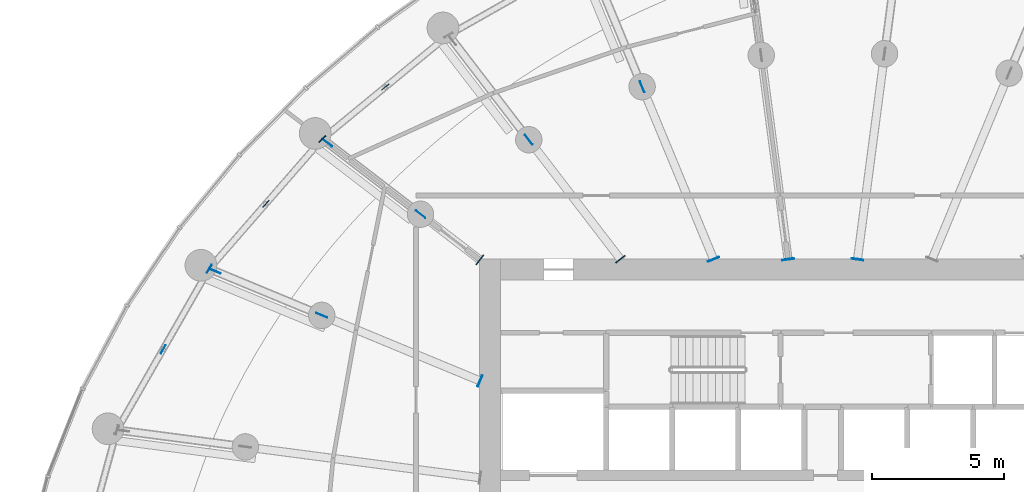
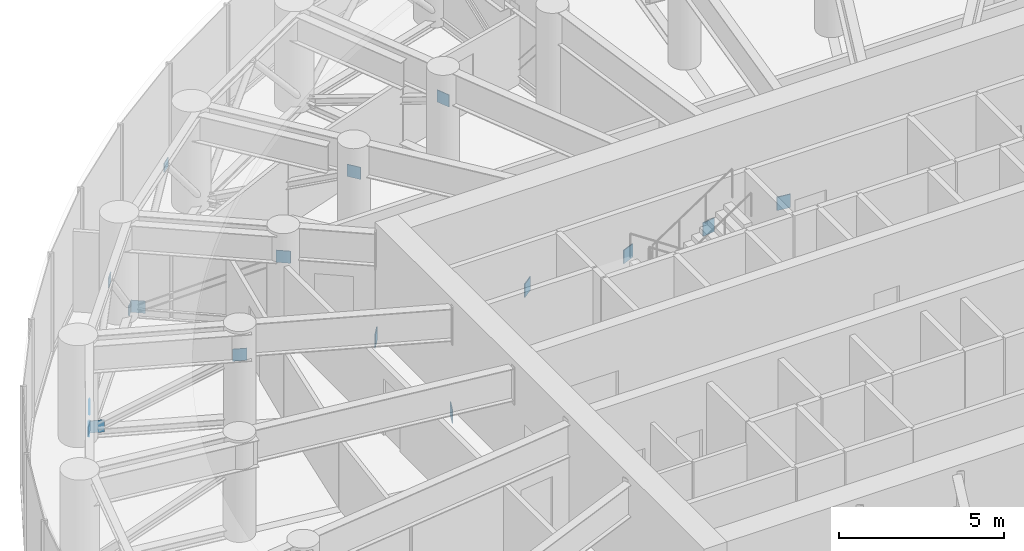
# One storey, part 27 of 33: 19 discrete accessories.
"""IFC4 building model written with IfcOpenShell, lengths in metres."""

from ifc_helpers import new_model, si_unit, direction, frame, origin, origin_2d, place, context, subcontext, project, spatial, rectangle, extrude, source, transform, mapped, material, layer, layer_set, type_object, element, save


model = new_model("IFC4")

# Units and contexts
model_context = context("Model", 3, precision=1e-05, world=origin(), true_north=direction((0.0, 1.0)))
body_context = subcontext(model_context, "Body", "Model", "MODEL_VIEW")
ifc_project = project(units=[si_unit("LENGTHUNIT", "METRE"), si_unit("AREAUNIT", "SQUARE_METRE"), si_unit("VOLUMEUNIT", "CUBIC_METRE"), si_unit("PLANEANGLEUNIT", "RADIAN"), si_unit("MASSUNIT", "GRAM", prefix="KILO")], contexts=[model_context])

# Site, building, storey
site_placement = place(None, origin())
site = spatial("IfcSite", under=ifc_project, at=site_placement, CompositionType="ELEMENT")
building_placement = place(site_placement, origin())
building = spatial("IfcBuilding", under=site, at=building_placement, Name="Spindrift Exchange Tower", CompositionType="ELEMENT")
storey_placement = place(building_placement, frame((0.0, 0.0, 129.0)))
storey = spatial("IfcBuildingStorey", under=building, at=storey_placement, Name="L30", CompositionType="ELEMENT", Elevation=129.0)

# Discrete accessories
ifc_material = material(Name="Steel Grade 350", Category="steel")
ifc_layer_1 = layer(ifc_material, 0.031982421875)
ifc_layer_set_1 = layer_set([ifc_layer_1], Name="Cast-in plate 450x500x32 Steel Grade 350")
discrete_accessory_type_1 = type_object("IfcDiscreteAccessoryType", Name="Cast-in plate 450x500x32 Steel Grade 350", PredefinedType="USERDEFINED", material=ifc_layer_set_1)
shared_shape_1 = source(origin(), body_context, "Body", "SweptSolid", [
    extrude(rectangle(XDim=0.031982421875, YDim=0.449951171875, at=origin_2d()), origin(), (0.0, 0.0, 1.0), 0.5),
])
for number, where, z_axis, x_axis, name in (
    (1, (53.31396484375, 57.980224609375, -0.410400390625), (0.0, 0.0, 1.0), (0.13052619222, 0.991444861374, 0.0), "L30 cast-in plate CP2 06"),
    (2, (50.68603515625, 57.980224609375, -0.410400390625), (0.0, 0.0, 1.0), (-0.13052619222, 0.991444861374, 0.0), "L30 cast-in plate CP2 07"),
    (3, (47.865478515625, 57.9814453125, -0.410400390625), (0.0, 0.0, 1.0), (-0.382683432365, 0.923879532511, 0.0), "L30 cast-in plate CP2 08"),
    (4, (44.3388671875, 57.984130859375, -0.410400390625), (0.0, 0.0, 1.0), (-0.608761429009, 0.793353340291, 0.0), "L30 cast-in plate CP2 09"),
    (5, (39.015869140625, 57.963134765625, -0.410400390625), (0.0, 0.0, 1.0), (-0.793353340291, 0.608761429009, 0.0), "L30 cast-in plate CP2 10"),
    (6, (39.0185546875, 53.377197265625, -0.410400390625), (0.0, 0.0, 1.0), (-0.923879532511, 0.382683432365, 0.0), "L30 cast-in plate CP2 11"),
):
    element("IfcDiscreteAccessory", number, at=place(storey_placement, frame(where, z_axis=z_axis, x_axis=x_axis)), inside=storey, type_object=discrete_accessory_type_1, Name=name, ObjectType="Cast-in plate", PredefinedType="USERDEFINED", context=body_context, shape_type="MappedRepresentation", body=[
        mapped(shared_shape_1, transform((0.0, 0.0, 0.0), scale=1.0)),
    ])
ifc_layer_2 = layer(ifc_material, 0.02490234375)
ifc_layer_set_2 = layer_set([ifc_layer_2], Name="Gusset plate 450x450x25 Steel Grade 350")
discrete_accessory_type_2 = type_object("IfcDiscreteAccessoryType", Name="Gusset plate 450x450x25 Steel Grade 350", PredefinedType="USERDEFINED", material=ifc_layer_set_2)
shared_shape_2 = source(origin(), body_context, "Body", "SweptSolid", [
    extrude(rectangle(XDim=0.449951171875, YDim=0.02490234375, at=origin_2d()), origin(), (0.0, 0.0, 1.0), 0.449951171875),
])
for number, where, z_axis, x_axis, name in (
    (7, (45.158203125, 64.517578125, 2.35498046875), (0.0, 0.0, 1.0), (-0.382672145019, 0.923884207802, 0.0), "L30 gusset plate GP1 08"),
    (8, (40.8662109375, 62.510009765625, 2.35498046875), (0.0, 0.0, 1.0), (-0.608758659679, 0.793355465265, 0.0), "L30 gusset plate GP1 09"),
    (9, (36.767578125, 59.688232421875, 2.35498046875), (0.0, 0.0, 1.0), (-0.793352277801, 0.608762813671, 0.0), "L30 gusset plate GP1 10"),
    (10, (33.240234375, 62.394775390625, 0.09619140625), (0.0, 0.0, 1.0), (-0.793352277801, 0.608762813671, 0.0), "L30 gusset plate GP1 10"),
    (11, (33.027587890625, 55.858642578125, 2.35498046875), (0.0, 0.0, 1.0), (-0.923877528773, 0.382688269782, 0.0), "L30 gusset plate GP1 11"),
    (12, (28.988037109375, 57.531982421875, 0.09619140625), (0.0, 0.0, 1.0), (-0.923877528773, 0.382688269782, 0.0), "L30 gusset plate GP1 11"),
):
    element("IfcDiscreteAccessory", number, at=place(storey_placement, frame(where, z_axis=z_axis, x_axis=x_axis)), inside=storey, type_object=discrete_accessory_type_2, Name=name, ObjectType="Gusset plate", PredefinedType="USERDEFINED", context=body_context, shape_type="MappedRepresentation", body=[
        mapped(shared_shape_2, transform((0.0, 0.0, 0.0), scale=1.0)),
    ])
ifc_layer_3 = layer(ifc_material, 0.02001953125)
ifc_layer_set_3 = layer_set([ifc_layer_3], Name="Gusset plate 350x350x20 Steel Grade 350")
discrete_accessory_type_3 = type_object("IfcDiscreteAccessoryType", Name="Gusset plate 350x350x20 Steel Grade 350", PredefinedType="USERDEFINED", material=ifc_layer_set_3)
shared_shape_3 = source(origin(), body_context, "Body", "SweptSolid", [
    extrude(rectangle(XDim=0.35009765625, YDim=0.02001953125, at=origin_2d()), origin(), (0.0, 0.0, 1.0), 0.35009765625),
])
for number, where, z_axis, x_axis, name in (
    (13, (35.4375, 64.507080078125, 3.350830078125), (0.0, 0.0, 1.0), (-0.771926461558, -0.635711835619, 0.0), "L30 gusset plate GP2 09"),
    (14, (33.0498046875, 62.541015625, 0.078857421875), (0.0, 0.0, 1.0), (-0.771939775706, -0.63569566829, 0.0), "L30 gusset plate GP2 09"),
    (15, (33.0498046875, 62.541015625, 0.078857421875), (0.0, 0.0, 1.0), (-0.656856895211, -0.754015264576, 0.0), "L30 gusset plate GP2 10"),
    (16, (30.908203125, 60.082275390625, 3.350830078125), (0.0, 0.0, 1.0), (-0.656856895211, -0.754015264576, 0.0), "L30 gusset plate GP2 10"),
    (17, (28.766357421875, 57.623779296875, 0.078857421875), (0.0, 0.0, 1.0), (-0.656856895211, -0.754015264576, 0.0), "L30 gusset plate GP2 10"),
    (18, (28.766357421875, 57.623779296875, 0.078857421875), (0.0, 0.0, 1.0), (-0.496677082815, -0.867935409697, 0.0), "L30 gusset plate GP2 11"),
    (19, (27.01953125, 54.5712890625, 3.350830078125), (0.0, 0.0, 1.0), (-0.496677082815, -0.867935409697, 0.0), "L30 gusset plate GP2 11"),
):
    element("IfcDiscreteAccessory", number, at=place(storey_placement, frame(where, z_axis=z_axis, x_axis=x_axis)), inside=storey, type_object=discrete_accessory_type_3, Name=name, ObjectType="Gusset plate", PredefinedType="USERDEFINED", context=body_context, shape_type="MappedRepresentation", body=[
        mapped(shared_shape_3, transform((0.0, 0.0, 0.0), scale=1.0)),
    ])

save(model, "model.ifc")
